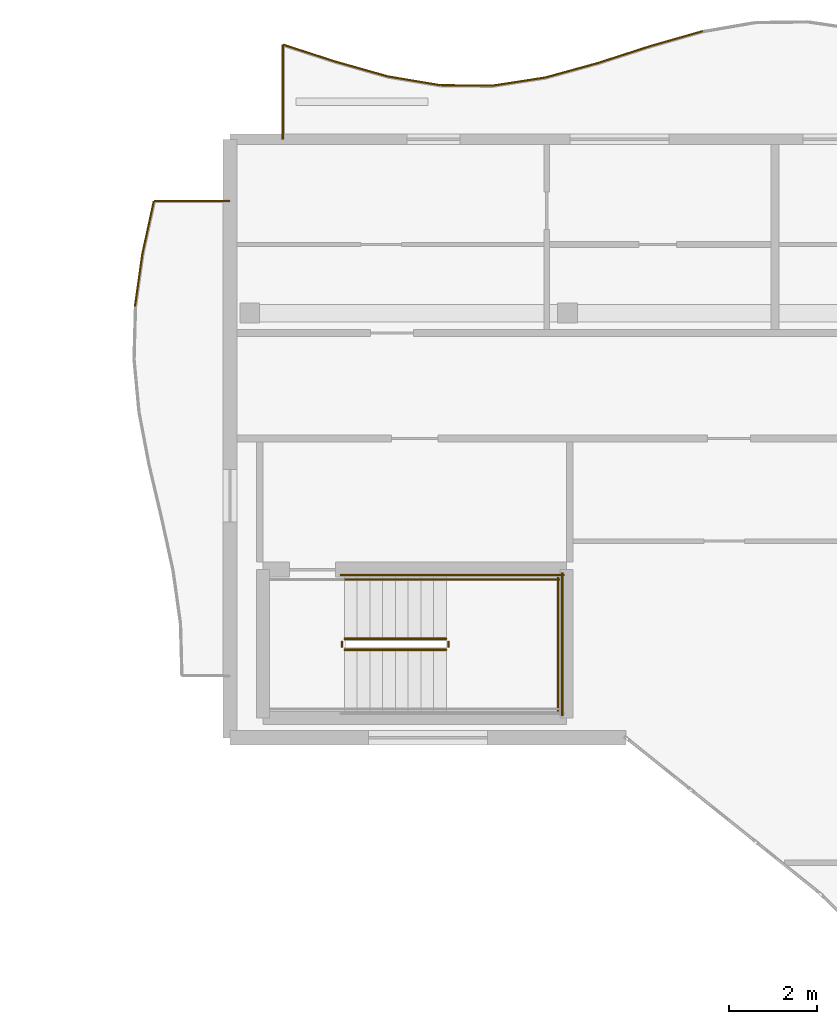
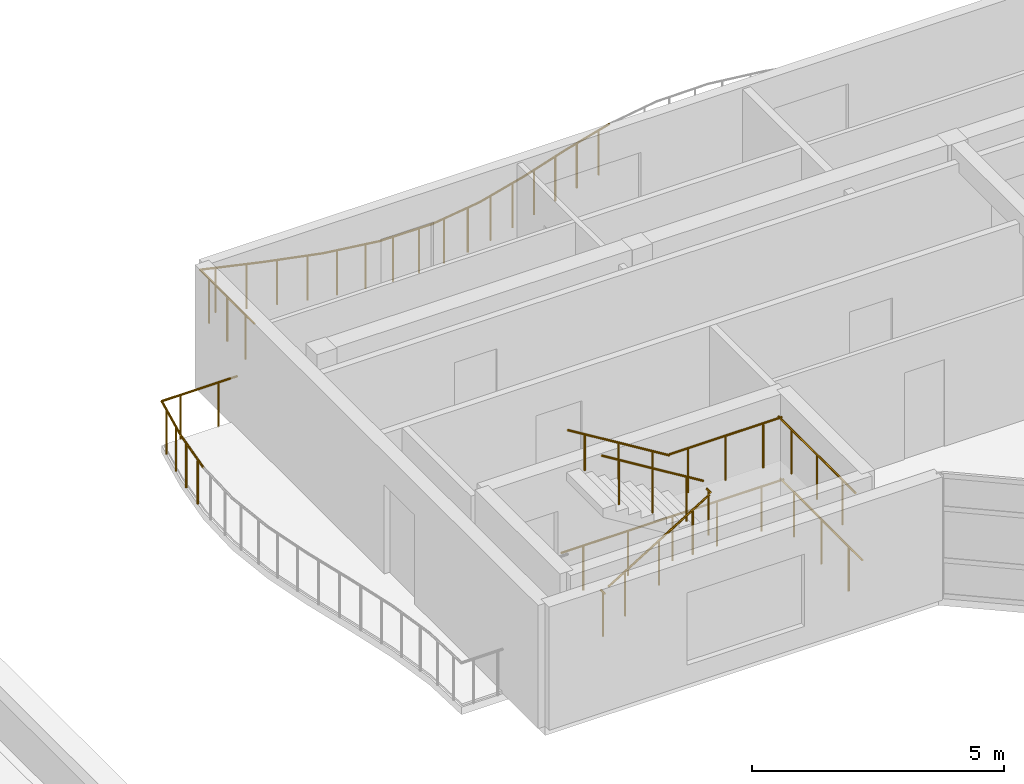
# One storey, part 15 of 18: 21 railings.
"""IFC4 building model written with IfcOpenShell, lengths in metres."""

from ifc_helpers import new_model, si_unit, direction, frame, origin, origin_2d, place, context, subcontext, project, spatial, circle, extrude, material, type_object, element, save


model = new_model("IFC4")

# Units and contexts
model_context = context("Model", 3, precision=1e-05, world=origin(), true_north=direction((0.0, 1.0)))
body_context = subcontext(model_context, "Body", "Model", "MODEL_VIEW")
ifc_project = project(units=[si_unit("LENGTHUNIT", "METRE"), si_unit("AREAUNIT", "SQUARE_METRE"), si_unit("VOLUMEUNIT", "CUBIC_METRE"), si_unit("PLANEANGLEUNIT", "RADIAN"), si_unit("MASSUNIT", "GRAM", prefix="KILO")], contexts=[model_context])

# Site, building, storey
site_placement = place(None, origin())
site = spatial("IfcSite", under=ifc_project, at=site_placement, CompositionType="ELEMENT")
building_placement = place(site_placement, origin())
building = spatial("IfcBuilding", under=site, at=building_placement, Name="Keldmere Railside Commons", CompositionType="ELEMENT")
storey_placement = place(building_placement, frame((0.0, 0.0, 39.360107421875)))
storey = spatial("IfcBuildingStorey", under=building, at=storey_placement, Name="L12", CompositionType="ELEMENT", Elevation=39.360107421875)

# Railings
ifc_material = material(Name="Steel F-24 (S235)", Category="steel")
railing_type_1 = type_object("IfcRailingType", Name="Balcony & Terrace Steel Balustrade 1100", PredefinedType="BALUSTRADE", material=ifc_material)
railing_1_placement = place(storey_placement, frame((148.199951171875, 113.60009765625, 0.0)))
element("IfcRailing", 1, at=railing_1_placement, inside=storey, type_object=railing_type_1, Name="GR-1 GRD-L12-4544", PredefinedType="BALUSTRADE", context=body_context, shape_type="SweptSolid", body=[
    extrude(circle(Radius=0.02392578125, at=origin_2d()), frame((0.0, 0.0, 1.076171875), z_axis=(0.0, 1.0, 0.0), x_axis=(-1.0, 0.0, 0.0)), (0.0, 0.0, 1.0), 2.1533203125),
    extrude(circle(Radius=0.02099609375, at=origin_2d()), frame((0.0, 0.35888671875, 0.0)), (0.0, 0.0, 1.0), 1.048095703125),
    extrude(circle(Radius=0.02099609375, at=origin_2d()), frame((0.0, 1.07666015625, 0.0)), (0.0, 0.0, 1.0), 1.048095703125),
    extrude(circle(Radius=0.02099609375, at=origin_2d()), frame((0.0, 1.79443359375, 0.0)), (0.0, 0.0, 1.0), 1.048095703125),
])
railing_2_placement = place(storey_placement, frame((148.199951171875, 115.75341796875, 0.0)))
element("IfcRailing", 2, at=railing_2_placement, inside=storey, type_object=railing_type_1, Name="GR-1 GRD-L12-4545", PredefinedType="BALUSTRADE", context=body_context, shape_type="SweptSolid", body=[
    extrude(circle(Radius=0.02392578125, at=origin_2d()), frame((0.0, 0.0, 1.076171875), z_axis=(0.951449549568, -0.307804734575, 0.0), x_axis=(0.307804734575, 0.951449549568, 0.0)), (0.0, 0.0, 1.0), 1.25390625),
    extrude(circle(Radius=0.02099609375, at=origin_2d()), frame((0.29833984375, -0.096435546875, 0.0)), (0.0, 0.0, 1.0), 1.048095703125),
    extrude(circle(Radius=0.02099609375, at=origin_2d()), frame((0.894775390625, -0.28955078125, 0.0)), (0.0, 0.0, 1.0), 1.048095703125),
])
railing_3_placement = place(storey_placement, frame((149.39306640625, 115.367431640625, 0.0)))
element("IfcRailing", 3, at=railing_3_placement, inside=storey, type_object=railing_type_1, Name="GR-1 GRD-L12-4546", PredefinedType="BALUSTRADE", context=body_context, shape_type="SweptSolid", body=[
    extrude(circle(Radius=0.02392578125, at=origin_2d()), frame((0.0, 0.0, 1.076171875), z_axis=(0.962211886174, -0.272301829052, 0.0), x_axis=(0.272301829052, 0.962211886174, 0.0)), (0.0, 0.0, 1.0), 1.239990234375),
    extrude(circle(Radius=0.02099609375, at=origin_2d()), frame((0.29833984375, -0.08447265625, 0.0)), (0.0, 0.0, 1.0), 1.048095703125),
    extrude(circle(Radius=0.02099609375, at=origin_2d()), frame((0.894775390625, -0.253173828125, 0.0)), (0.0, 0.0, 1.0), 1.048095703125),
])
railing_4_placement = place(storey_placement, frame((150.586181640625, 115.02978515625, 0.0)))
element("IfcRailing", 4, at=railing_4_placement, inside=storey, type_object=railing_type_1, Name="GR-1 GRD-L12-4547", PredefinedType="BALUSTRADE", context=body_context, shape_type="SweptSolid", body=[
    extrude(circle(Radius=0.02392578125, at=origin_2d()), frame((0.0, 0.0, 1.076171875), z_axis=(0.986279139684, -0.165086215728, 0.0), x_axis=(0.165086215728, 0.986279139684, 0.0)), (0.0, 0.0, 1.0), 1.209716796875),
    extrude(circle(Radius=0.02099609375, at=origin_2d()), frame((0.29833984375, -0.0498046875, 0.0)), (0.0, 0.0, 1.0), 1.048095703125),
    extrude(circle(Radius=0.02099609375, at=origin_2d()), frame((0.894775390625, -0.14990234375, 0.0)), (0.0, 0.0, 1.0), 1.048095703125),
])
railing_5_placement = place(storey_placement, frame((151.779296875, 114.830078125, 0.0)))
element("IfcRailing", 5, at=railing_5_placement, inside=storey, type_object=railing_type_1, Name="GR-1 GRD-L12-4548", PredefinedType="BALUSTRADE", context=body_context, shape_type="SweptSolid", body=[
    extrude(circle(Radius=0.02392578125, at=origin_2d()), frame((0.0, 0.0, 1.076171875), z_axis=(0.99996977037, -0.007775496475, 0.0), x_axis=(0.007775496475, 0.99996977037, 0.0)), (0.0, 0.0, 1.0), 1.193115234375),
    extrude(circle(Radius=0.02099609375, at=origin_2d()), frame((0.29833984375, -0.00244140625, 0.0)), (0.0, 0.0, 1.0), 1.048095703125),
    extrude(circle(Radius=0.02099609375, at=origin_2d()), frame((0.894775390625, -0.0068359375, 0.0)), (0.0, 0.0, 1.0), 1.048095703125),
])
railing_6_placement = place(storey_placement, frame((152.972412109375, 114.82080078125, 0.0)))
element("IfcRailing", 6, at=railing_6_placement, inside=storey, type_object=railing_type_1, Name="GR-1 GRD-L12-4549", PredefinedType="BALUSTRADE", context=body_context, shape_type="SweptSolid", body=[
    extrude(circle(Radius=0.02392578125, at=origin_2d()), frame((0.0, 0.0, 1.076171875), z_axis=(0.988306143786, 0.152482674936, 0.0), x_axis=(-0.152482674936, 0.988306143786, 0.0)), (0.0, 0.0, 1.0), 1.207275390625),
    extrude(circle(Radius=0.02099609375, at=origin_2d()), frame((0.29833984375, 0.0458984375, 0.0)), (0.0, 0.0, 1.0), 1.048095703125),
    extrude(circle(Radius=0.02099609375, at=origin_2d()), frame((0.894775390625, 0.13818359375, 0.0)), (0.0, 0.0, 1.0), 1.048095703125),
])
railing_7_placement = place(storey_placement, frame((154.16552734375, 115.0048828125, 0.0)))
element("IfcRailing", 7, at=railing_7_placement, inside=storey, type_object=railing_type_1, Name="GR-1 GRD-L12-4550", PredefinedType="BALUSTRADE", context=body_context, shape_type="SweptSolid", body=[
    extrude(circle(Radius=0.02392578125, at=origin_2d()), frame((0.0, 0.0, 1.076171875), z_axis=(0.964100660296, 0.265537034737, 0.0), x_axis=(-0.265537034737, 0.964100660296, 0.0)), (0.0, 0.0, 1.0), 1.237548828125),
    extrude(circle(Radius=0.02099609375, at=origin_2d()), frame((0.29833984375, 0.08203125, 0.0)), (0.0, 0.0, 1.0), 1.048095703125),
    extrude(circle(Radius=0.02099609375, at=origin_2d()), frame((0.894775390625, 0.24658203125, 0.0)), (0.0, 0.0, 1.0), 1.048095703125),
])
railing_8_placement = place(storey_placement, frame((155.358642578125, 115.33349609375, 0.0)))
element("IfcRailing", 8, at=railing_8_placement, inside=storey, type_object=railing_type_1, Name="GR-1 GRD-L12-4551", PredefinedType="BALUSTRADE", context=body_context, shape_type="SweptSolid", body=[
    extrude(circle(Radius=0.02392578125, at=origin_2d()), frame((0.0, 0.0, 1.076171875), z_axis=(0.951506553675, 0.307628474485, 0.0), x_axis=(-0.307628474485, 0.951506553675, 0.0)), (0.0, 0.0, 1.0), 1.25390625),
    extrude(circle(Radius=0.02099609375, at=origin_2d()), frame((0.29833984375, 0.096435546875, 0.0)), (0.0, 0.0, 1.0), 1.048095703125),
    extrude(circle(Radius=0.02099609375, at=origin_2d()), frame((0.894775390625, 0.289306640625, 0.0)), (0.0, 0.0, 1.0), 1.048095703125),
])
railing_9_placement = place(storey_placement, frame((156.5517578125, 115.71923828125, 0.0)))
element("IfcRailing", 9, at=railing_9_placement, inside=storey, type_object=railing_type_1, Name="GR-1 GRD-L12-4552", PredefinedType="BALUSTRADE", context=body_context, shape_type="SweptSolid", body=[
    extrude(circle(Radius=0.02392578125, at=origin_2d()), frame((0.0, 0.0, 1.076171875), z_axis=(0.961486817396, 0.274851050522, 0.0), x_axis=(-0.274851050522, 0.961486817396, 0.0)), (0.0, 0.0, 1.0), 1.240966796875),
    extrude(circle(Radius=0.02099609375, at=origin_2d()), frame((0.29833984375, 0.085205078125, 0.0)), (0.0, 0.0, 1.0), 1.048095703125),
    extrude(circle(Radius=0.02099609375, at=origin_2d()), frame((0.894775390625, 0.255859375, 0.0)), (0.0, 0.0, 1.0), 1.048095703125),
])
railing_10_placement = place(storey_placement, frame((144.8388671875, 109.800048828125, 0.0)))
element("IfcRailing", 10, at=railing_10_placement, inside=storey, type_object=railing_type_1, Name="GR-1 GRD-L12-4646", PredefinedType="BALUSTRADE", context=body_context, shape_type="SweptSolid", body=[
    extrude(circle(Radius=0.02392578125, at=origin_2d()), frame((0.0, 0.0, 1.076171875), z_axis=(0.140208526942, 0.990121997015, 0.0), x_axis=(-0.990121997015, 0.140208526942, 0.0)), (0.0, 0.0, 1.0), 1.2119140625),
    extrude(circle(Radius=0.02099609375, at=origin_2d()), frame((0.04248046875, 0.300048828125, 0.0)), (0.0, 0.0, 1.0), 1.048095703125),
    extrude(circle(Radius=0.02099609375, at=origin_2d()), frame((0.12744140625, 0.89990234375, 0.0)), (0.0, 0.0, 1.0), 1.048095703125),
])
railing_11_placement = place(storey_placement, frame((145.0087890625, 111.0, 0.0)))
element("IfcRailing", 11, at=railing_11_placement, inside=storey, type_object=railing_type_1, Name="GR-1 GRD-L12-4647", PredefinedType="BALUSTRADE", context=body_context, shape_type="SweptSolid", body=[
    extrude(circle(Radius=0.02392578125, at=origin_2d()), frame((0.0, 0.0, 1.076171875), z_axis=(0.212908303153, 0.977072184871, 0.0), x_axis=(-0.977072184871, 0.212908303153, 0.0)), (0.0, 0.0, 1.0), 1.22802734375),
    extrude(circle(Radius=0.02099609375, at=origin_2d()), frame((0.0654296875, 0.300048828125, 0.0)), (0.0, 0.0, 1.0), 1.048095703125),
    extrude(circle(Radius=0.02099609375, at=origin_2d()), frame((0.196044921875, 0.89990234375, 0.0)), (0.0, 0.0, 1.0), 1.048095703125),
])
railing_12_placement = place(storey_placement, frame((145.270263671875, 112.199951171875, 0.0)))
element("IfcRailing", 12, at=railing_12_placement, inside=storey, type_object=railing_type_1, Name="GR-1 GRD-L12-4648", PredefinedType="BALUSTRADE", context=body_context, shape_type="SweptSolid", body=[
    extrude(circle(Radius=0.02392578125, at=origin_2d()), frame((0.0, 0.0, 1.076171875), z_axis=(1.0, 0.0, 0.0), x_axis=(0.0, 1.0, 0.0)), (0.0, 0.0, 1.0), 1.729736328125),
    extrude(circle(Radius=0.02099609375, at=origin_2d()), frame((0.432373046875, 0.0, 0.0)), (0.0, 0.0, 1.0), 1.048095703125),
    extrude(circle(Radius=0.02099609375, at=origin_2d()), frame((1.29736328125, 0.0, 0.0)), (0.0, 0.0, 1.0), 1.048095703125),
])
railing_type_2 = type_object("IfcRailingType", Name="Stair Well Steel Guardrail 1100", PredefinedType="BALUSTRADE", material=ifc_material)
railing_13_placement = place(storey_placement, frame((149.60009765625, 102.0, 0.177734375)))
element("IfcRailing", 13, at=railing_13_placement, inside=storey, type_object=railing_type_2, Name="L12 ST-A2 stair guard 1", PredefinedType="BALUSTRADE", context=body_context, shape_type="SweptSolid", body=[
    extrude(circle(Radius=0.02392578125, at=origin_2d()), frame((0.0, 0.0, 1.076171875), z_axis=(0.85255353654, 0.0, 0.522639902162), x_axis=(0.0, 1.0, 0.0)), (0.0, 0.0, 1.0), 2.720947265625),
    extrude(circle(Radius=0.02099609375, at=origin_2d()), frame((0.38671875, 0.0, 0.237060546875)), (0.0, 0.0, 1.0), 1.048095703125),
    extrude(circle(Radius=0.02099609375, at=origin_2d()), frame((1.159912109375, 0.0, 0.7109375)), (0.0, 0.0, 1.0), 1.048095703125),
    extrude(circle(Radius=0.02099609375, at=origin_2d()), frame((1.93310546875, 0.0, 1.18505859375)), (0.0, 0.0, 1.0), 1.048095703125),
])
railing_14_placement = place(storey_placement, frame((151.969970703125, 102.050048828125, 1.599853515625)))
element("IfcRailing", 14, at=railing_14_placement, inside=storey, type_object=railing_type_2, Name="L12 ST-A2 stair guard 2", PredefinedType="BALUSTRADE", context=body_context, shape_type="SweptSolid", body=[
    extrude(circle(Radius=0.02392578125, at=origin_2d()), frame((0.0, 0.0, 1.076171875), z_axis=(0.0, 1.0, 0.0), x_axis=(-1.0, 0.0, 0.0)), (0.0, 0.0, 1.0), 0.14990234375),
    extrude(circle(Radius=0.02099609375, at=origin_2d()), frame((0.0, 0.074951171875, 0.0)), (0.0, 0.0, 1.0), 1.048095703125),
])
railing_15_placement = place(storey_placement, frame((151.919921875, 103.60009765625, 1.599853515625)))
element("IfcRailing", 15, at=railing_15_placement, inside=storey, type_object=railing_type_2, Name="L12 ST-A2 stair guard 4", PredefinedType="BALUSTRADE", context=body_context, shape_type="SweptSolid", body=[
    extrude(circle(Radius=0.02392578125, at=origin_2d()), frame((0.0, 0.0, 1.076171875), z_axis=(1.0, 0.0, 0.0), x_axis=(0.0, 1.0, 0.0)), (0.0, 0.0, 1.0), 2.580078125),
    extrude(circle(Radius=0.02099609375, at=origin_2d()), frame((0.429931640625, 0.0, 0.0)), (0.0, 0.0, 1.0), 1.048095703125),
    extrude(circle(Radius=0.02099609375, at=origin_2d()), frame((1.2900390625, 0.0, 0.0)), (0.0, 0.0, 1.0), 1.048095703125),
    extrude(circle(Radius=0.02099609375, at=origin_2d()), frame((2.150146484375, 0.0, 0.0)), (0.0, 0.0, 1.0), 1.048095703125),
])
railing_16_placement = place(storey_placement, frame((154.449951171875, 100.60009765625, 1.599853515625)))
element("IfcRailing", 16, at=railing_16_placement, inside=storey, type_object=railing_type_2, Name="L12 ST-A2 stair guard 5", PredefinedType="BALUSTRADE", context=body_context, shape_type="SweptSolid", body=[
    extrude(circle(Radius=0.02392578125, at=origin_2d()), frame((0.0, 0.0, 1.076171875), z_axis=(0.0, 1.0, 0.0), x_axis=(-1.0, 0.0, 0.0)), (0.0, 0.0, 1.0), 3.0498046875),
    extrude(circle(Radius=0.02099609375, at=origin_2d()), frame((0.0, 0.50830078125, 0.0)), (0.0, 0.0, 1.0), 1.048095703125),
    extrude(circle(Radius=0.02099609375, at=origin_2d()), frame((0.0, 1.52490234375, 0.0)), (0.0, 0.0, 1.0), 1.048095703125),
    extrude(circle(Radius=0.02099609375, at=origin_2d()), frame((0.0, 2.54150390625, 0.0)), (0.0, 0.0, 1.0), 1.048095703125),
])
railing_17_placement = place(storey_placement, frame((151.919921875, 102.25, 1.777587890625)))
element("IfcRailing", 17, at=railing_17_placement, inside=storey, type_object=railing_type_2, Name="L12 ST-A2 stair guard 6", PredefinedType="BALUSTRADE", context=body_context, shape_type="SweptSolid", body=[
    extrude(circle(Radius=0.02392578125, at=origin_2d()), frame((0.0, 0.0, 1.076171875), z_axis=(-0.852513557019, 0.0, 0.522705112944), x_axis=(0.0, -1.0, 0.0)), (0.0, 0.0, 1.0), 2.72119140625),
    extrude(circle(Radius=0.02099609375, at=origin_2d()), frame((-0.38671875, 0.0, 0.237060546875)), (0.0, 0.0, 1.0), 1.048095703125),
    extrude(circle(Radius=0.02099609375, at=origin_2d()), frame((-1.159912109375, 0.0, 0.711181640625)), (0.0, 0.0, 1.0), 1.048095703125),
    extrude(circle(Radius=0.02099609375, at=origin_2d()), frame((-1.93310546875, 0.0, 1.185302734375)), (0.0, 0.0, 1.0), 1.048095703125),
])
railing_18_placement = place(storey_placement, frame((149.550048828125, 102.050048828125, 0.0)))
element("IfcRailing", 18, at=railing_18_placement, inside=storey, type_object=railing_type_2, Name="L12 ST-A2 stair guard 7", PredefinedType="BALUSTRADE", context=body_context, shape_type="SweptSolid", body=[
    extrude(circle(Radius=0.02392578125, at=origin_2d()), frame((0.0, 0.0, 1.076171875), z_axis=(0.0, 1.0, 0.0), x_axis=(-1.0, 0.0, 0.0)), (0.0, 0.0, 1.0), 0.14990234375),
    extrude(circle(Radius=0.02099609375, at=origin_2d()), frame((0.0, 0.074951171875, 0.0)), (0.0, 0.0, 1.0), 1.048095703125),
])
railing_19_placement = place(storey_placement, frame((149.5, 103.699951171875, 0.0)))
element("IfcRailing", 19, at=railing_19_placement, inside=storey, type_object=railing_type_2, Name="L12 ST-A2 stair guard 11", PredefinedType="BALUSTRADE", context=body_context, shape_type="SweptSolid", body=[
    extrude(circle(Radius=0.02392578125, at=origin_2d()), frame((0.0, 0.0, 1.076171875), z_axis=(1.0, 0.0, 0.0), x_axis=(0.0, 1.0, 0.0)), (0.0, 0.0, 1.0), 5.10009765625),
    extrude(circle(Radius=0.02099609375, at=origin_2d()), frame((0.510009765625, 0.0, 0.0)), (0.0, 0.0, 1.0), 1.048095703125),
    extrude(circle(Radius=0.02099609375, at=origin_2d()), frame((1.530029296875, 0.0, 0.0)), (0.0, 0.0, 1.0), 1.048095703125),
    extrude(circle(Radius=0.02099609375, at=origin_2d()), frame((2.550048828125, 0.0, 0.0)), (0.0, 0.0, 1.0), 1.048095703125),
    extrude(circle(Radius=0.02099609375, at=origin_2d()), frame((3.570068359375, 0.0, 0.0)), (0.0, 0.0, 1.0), 1.048095703125),
    extrude(circle(Radius=0.02099609375, at=origin_2d()), frame((4.590087890625, 0.0, 0.0)), (0.0, 0.0, 1.0), 1.048095703125),
])
railing_20_placement = place(storey_placement, frame((154.550048828125, 100.5, 0.0)))
element("IfcRailing", 20, at=railing_20_placement, inside=storey, type_object=railing_type_2, Name="L12 ST-A2 stair guard 12", PredefinedType="BALUSTRADE", context=body_context, shape_type="SweptSolid", body=[
    extrude(circle(Radius=0.02392578125, at=origin_2d()), frame((0.0, 0.0, 1.076171875), z_axis=(0.0, 1.0, 0.0), x_axis=(-1.0, 0.0, 0.0)), (0.0, 0.0, 1.0), 3.25),
    extrude(circle(Radius=0.02099609375, at=origin_2d()), frame((0.0, 0.541748046875, 0.0)), (0.0, 0.0, 1.0), 1.048095703125),
    extrude(circle(Radius=0.02099609375, at=origin_2d()), frame((0.0, 1.625, 0.0)), (0.0, 0.0, 1.0), 1.048095703125),
    extrude(circle(Radius=0.02099609375, at=origin_2d()), frame((0.0, 2.708251953125, 0.0)), (0.0, 0.0, 1.0), 1.048095703125),
])
railing_type_3 = type_object("IfcRailingType", Name="Wall-Mounted Tubular Steel Handrail 900", PredefinedType="HANDRAIL", material=ifc_material)
railing_21_placement = place(storey_placement, frame((151.919921875, 103.60009765625, 1.777587890625)))
element("IfcRailing", 21, at=railing_21_placement, inside=storey, type_object=railing_type_3, Name="L12 ST-A2 stair handrail 2", PredefinedType="HANDRAIL", context=body_context, shape_type="SweptSolid", body=[
    extrude(circle(Radius=0.02392578125, at=origin_2d()), frame((0.0, 0.0, 0.8759765625), z_axis=(-0.852513557019, 0.0, 0.522705112944), x_axis=(0.0, -1.0, 0.0)), (0.0, 0.0, 1.0), 2.72119140625),
    extrude(circle(Radius=0.02099609375, at=origin_2d()), frame((-0.38671875, 0.0, 0.237060546875)), (0.0, 0.0, 1.0), 0.847900390625),
    extrude(circle(Radius=0.02099609375, at=origin_2d()), frame((-1.159912109375, 0.0, 0.711181640625)), (0.0, 0.0, 1.0), 0.847900390625),
    extrude(circle(Radius=0.02099609375, at=origin_2d()), frame((-1.93310546875, 0.0, 1.185302734375)), (0.0, 0.0, 1.0), 0.847900390625),
])

save(model, "model.ifc")
